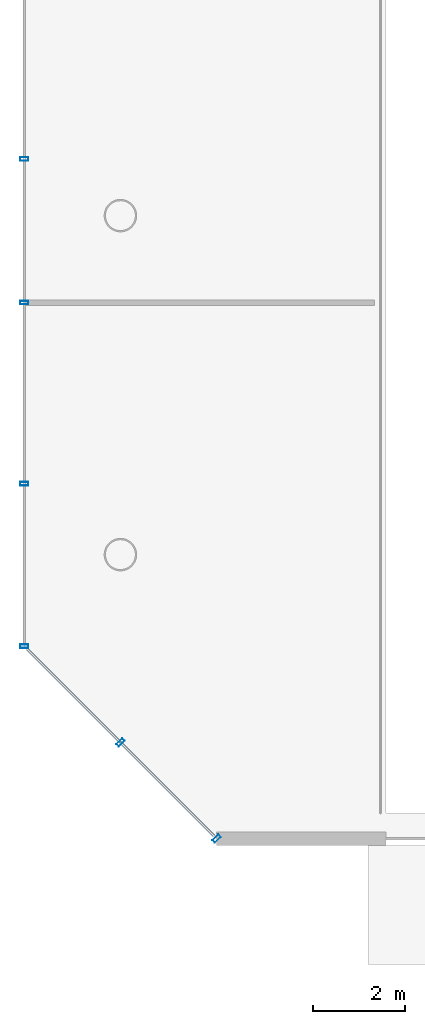
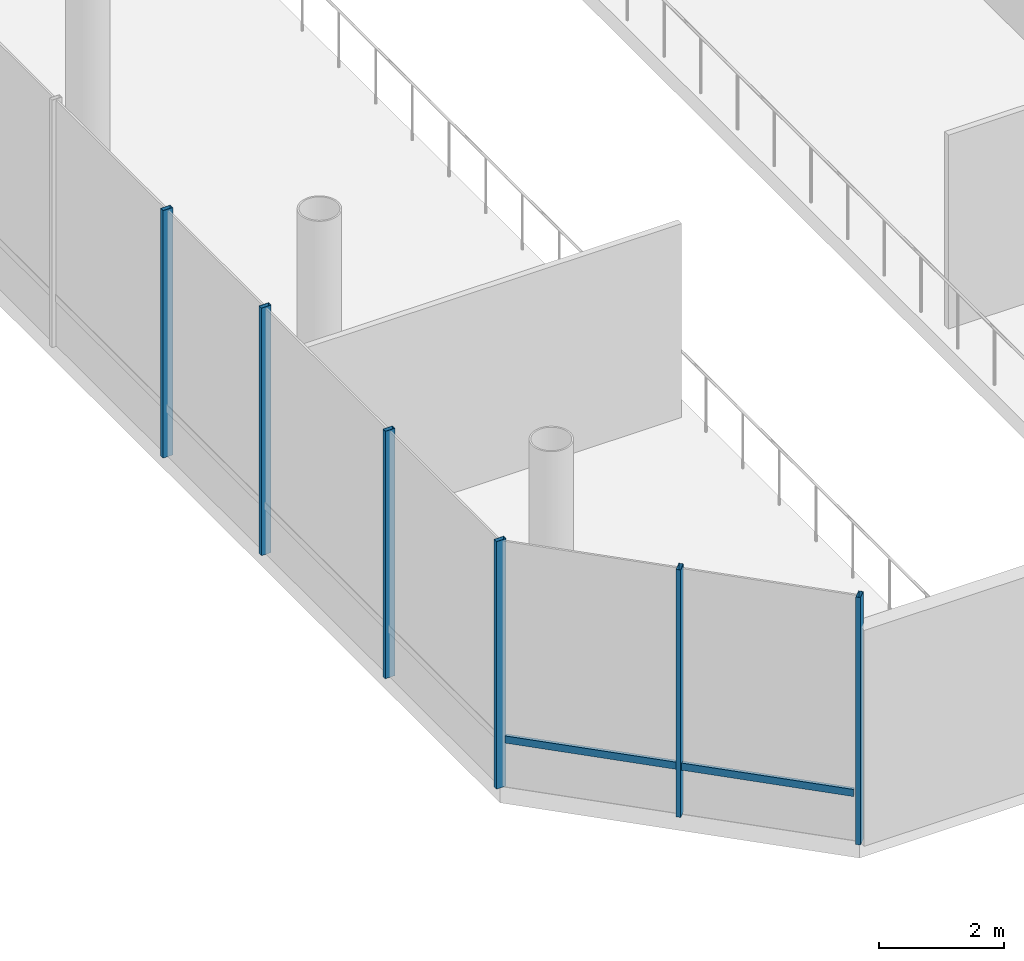
# One storey, part 5 of 31: 7 members, 2 elements without a shape of their own.
"""IFC4 building model written with IfcOpenShell, lengths in metres."""

from ifc_helpers import new_model, si_unit, direction, frame, origin, origin_2d, place, context, subcontext, project, spatial, hollow_rectangle, extrude, material, layer, layer_set, material_profile, profile_set, type_object, element, aggregate, save


model = new_model("IFC4")

# Units and contexts
model_context = context("Model", 3, precision=1e-05, world=origin(), true_north=direction((0.0, 1.0)))
body_context = subcontext(model_context, "Body", "Model", "MODEL_VIEW")
ifc_project = project(units=[si_unit("LENGTHUNIT", "METRE"), si_unit("AREAUNIT", "SQUARE_METRE"), si_unit("VOLUMEUNIT", "CUBIC_METRE"), si_unit("PLANEANGLEUNIT", "RADIAN"), si_unit("MASSUNIT", "GRAM", prefix="KILO")], contexts=[model_context])

# Site, building, storey
site_placement = place(None, origin())
site = spatial("IfcSite", under=ifc_project, at=site_placement, CompositionType="ELEMENT")
building_placement = place(site_placement, origin())
building = spatial("IfcBuilding", under=site, at=building_placement, Name="Zarrinselat Tower", CompositionType="ELEMENT")
storey_placement = place(building_placement, origin())
storey = spatial("IfcBuildingStorey", under=building, at=storey_placement, Name="L00", CompositionType="ELEMENT", Elevation=0.0)

# Curtain wall, members
ifc_material_1 = material(Name="Extruded Aluminium Alloy EN AW-6063 T6", Category="aluminium")
ifc_layer = layer(ifc_material_1, 0.2099609375)
ifc_layer_set = layer_set([ifc_layer], Name="Extruded Aluminium Alloy EN AW-6063 T6")
curtain_wall_type = type_object("IfcCurtainWallType", Name="CWS-POD", PredefinedType="NOTDEFINED", material=ifc_layer_set)
curtain_wall_1_placement = place(storey_placement, origin())
curtain_wall_1 = element("IfcCurtainWall", 1, at=curtain_wall_1_placement, inside=storey, type_object=curtain_wall_type, Name="L00 Unitised Curtain Wall CW-L00-E7", PredefinedType="NOTDEFINED")
ifc_material_2 = material(Name="Extruded Aluminium Alloy EN AW-6063 T6", Category="aluminium")
ifc_material_profile_1 = material_profile(ifc_material_2, hollow_rectangle(XDim=0.080078125, YDim=0.179931640625, WallThickness=0.0048828125, at=origin_2d()), Name="RHS 180x80x5")
ifc_profile_set_1 = profile_set([ifc_material_profile_1], Name="Extruded Aluminium Alloy EN AW-6063 T6")
member_type_1 = type_object("IfcMemberType", Name="MEM-CW-MUL", PredefinedType="MULLION", material=ifc_profile_set_1)
member_1_placement = place(storey_placement, frame((-2.5, 19.636474609375, 0.0), z_axis=(0.0, 0.0, 1.0), x_axis=(0.0, -1.0, 0.0)))
member_1 = element("IfcMember", 2, at=member_1_placement, type_object=member_type_1, Name="CW-L00-E7 Mullion 9", PredefinedType="MULLION", context=body_context, shape_type="SweptSolid", body=[
    extrude(hollow_rectangle(XDim=0.080078125, YDim=0.179931640625, WallThickness=0.0048828125, at=origin_2d()), origin(), (0.0, 0.0, 1.0), 4.820068359375),
])
member_2_placement = place(storey_placement, frame((-2.5, 16.5, 0.0), z_axis=(0.0, 0.0, 1.0), x_axis=(0.0, -1.0, 0.0)))
member_2 = element("IfcMember", 3, at=member_2_placement, type_object=member_type_1, Name="CW-L00-E7 Mullion 10", PredefinedType="MULLION", context=body_context, shape_type="SweptSolid", body=[
    extrude(hollow_rectangle(XDim=0.080078125, YDim=0.179931640625, WallThickness=0.0048828125, at=origin_2d()), origin(), (0.0, 0.0, 1.0), 4.820068359375),
])
member_3_placement = place(storey_placement, frame((-2.5, 12.54541015625, 0.0), z_axis=(0.0, 0.0, 1.0), x_axis=(0.0, -1.0, 0.0)))
member_3 = element("IfcMember", 4, at=member_3_placement, type_object=member_type_1, Name="CW-L00-E7 Mullion 11", PredefinedType="MULLION", context=body_context, shape_type="SweptSolid", body=[
    extrude(hollow_rectangle(XDim=0.080078125, YDim=0.179931640625, WallThickness=0.0048828125, at=origin_2d()), origin(), (0.0, 0.0, 1.0), 4.820068359375),
])
member_4_placement = place(storey_placement, frame((-2.5, 9.0, 0.0), z_axis=(0.0, 0.0, 1.0), x_axis=(0.0, -1.0, 0.0)))
member_4 = element("IfcMember", 5, at=member_4_placement, type_object=member_type_1, Name="CW-L00-E7 Mullion 12", PredefinedType="MULLION", context=body_context, shape_type="SweptSolid", body=[
    extrude(hollow_rectangle(XDim=0.080078125, YDim=0.179931640625, WallThickness=0.0048828125, at=origin_2d()), origin(), (0.0, 0.0, 1.0), 4.820068359375),
])
aggregate(curtain_wall_1, [member_1, member_2, member_3, member_4])

curtain_wall_2_placement = place(storey_placement, origin())
curtain_wall_2 = element("IfcCurtainWall", 6, at=curtain_wall_2_placement, inside=storey, type_object=curtain_wall_type, Name="L00 Unitised Curtain Wall CW-L00-E8", PredefinedType="NOTDEFINED")
member_5_placement = place(storey_placement, frame((-0.39990234375, 6.89990234375, 0.0), z_axis=(0.0, 0.0, 1.0), x_axis=(0.707106781187, -0.707106781187, 0.0)))
member_5 = element("IfcMember", 7, at=member_5_placement, type_object=member_type_1, Name="CW-L00-E8 Mullion 1", PredefinedType="MULLION", context=body_context, shape_type="SweptSolid", body=[
    extrude(hollow_rectangle(XDim=0.080078125, YDim=0.179931640625, WallThickness=0.0048828125, at=origin_2d()), origin(), (0.0, 0.0, 1.0), 4.820068359375),
])
member_6_placement = place(storey_placement, frame((1.699951171875, 4.800048828125, 0.0), z_axis=(0.0, 0.0, 1.0), x_axis=(0.707106781187, -0.707106781187, 0.0)))
member_6 = element("IfcMember", 8, at=member_6_placement, type_object=member_type_1, Name="CW-L00-E8 Mullion 2", PredefinedType="MULLION", context=body_context, shape_type="SweptSolid", body=[
    extrude(hollow_rectangle(XDim=0.080078125, YDim=0.179931640625, WallThickness=0.0048828125, at=origin_2d()), origin(), (0.0, 0.0, 1.0), 4.820068359375),
])
ifc_material_3 = material(Name="Extruded Aluminium Alloy EN AW-6063 T6", Category="aluminium")
ifc_material_profile_2 = material_profile(ifc_material_3, hollow_rectangle(XDim=0.06005859375, YDim=0.139892578125, WallThickness=0.00390625, at=origin_2d()), Name="RHS 140x60x4")
ifc_profile_set_2 = profile_set([ifc_material_profile_2], Name="Extruded Aluminium Alloy EN AW-6063 T6")
member_type_2 = type_object("IfcMemberType", Name="MEM-CW-TRN", PredefinedType="USERDEFINED", material=ifc_profile_set_2)
member_7_placement = place(storey_placement, frame((-2.436279296875, 8.936279296875, 0.949951171875), z_axis=(0.707106781187, -0.707106781187, 0.0), x_axis=(0.707106781187, 0.707106781187, 0.0)))
member_7 = element("IfcMember", 9, at=member_7_placement, type_object=member_type_2, Name="CW-L00-E8 Transom 1", ObjectType="TRANSOM", PredefinedType="USERDEFINED", context=body_context, shape_type="SweptSolid", body=[
    extrude(hollow_rectangle(XDim=0.06005859375, YDim=0.139892578125, WallThickness=0.00390625, at=origin_2d()), origin(), (0.0, 0.0, 1.0), 5.759765625),
])
aggregate(curtain_wall_2, [member_5, member_6, member_7])

save(model, "model.ifc")
